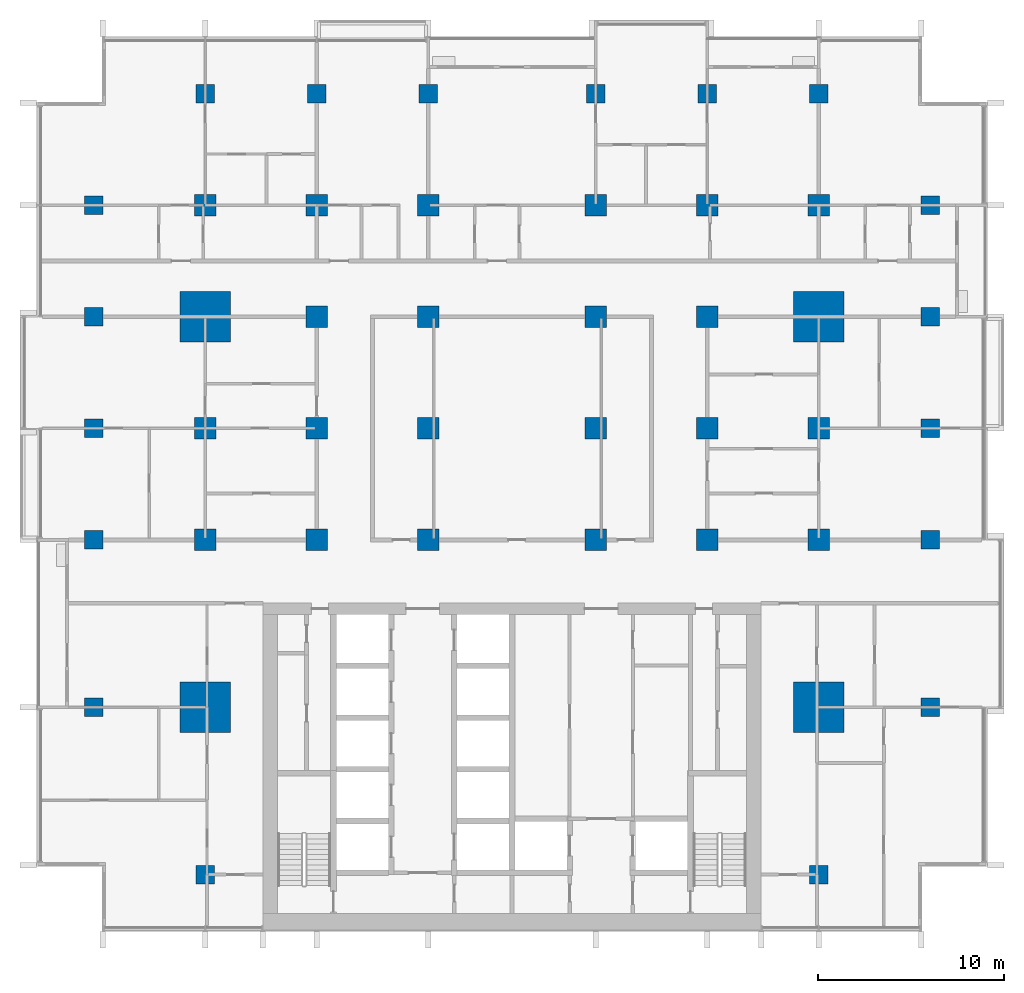
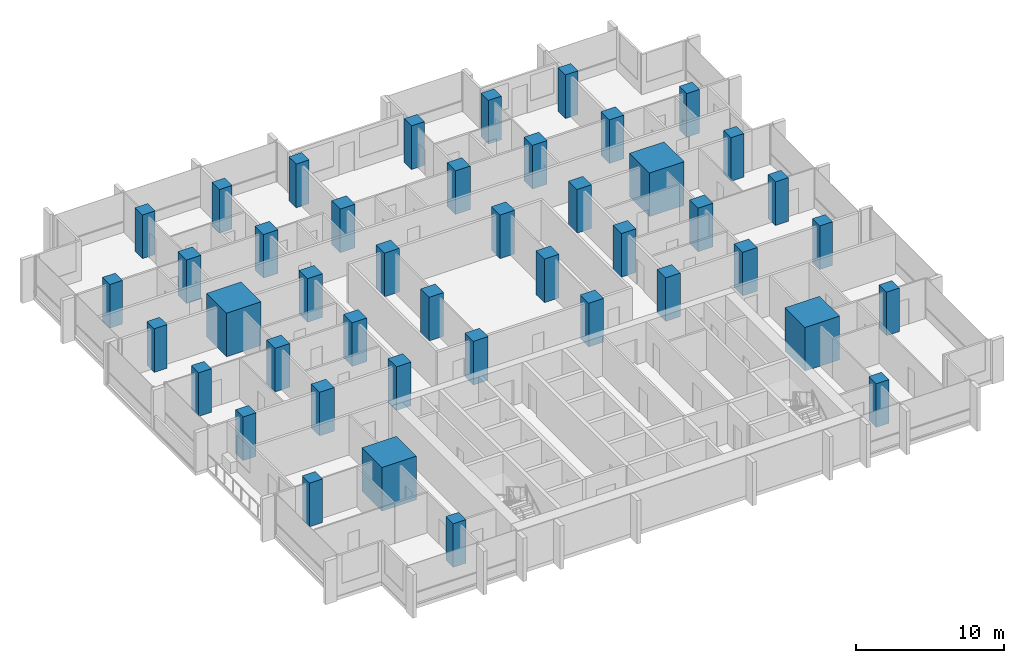
# One storey, part 1 of 19: 44 columns.
"""IFC4 building model written with IfcOpenShell, lengths in metres."""

from ifc_helpers import new_model, si_unit, direction, frame, origin, origin_2d, place, context, subcontext, project, spatial, rectangle, extrude, material, material_profile, profile_set, type_object, element, save


model = new_model("IFC4")

# Units and contexts
model_context = context("Model", 3, precision=1e-05, world=origin(), true_north=direction((0.0, 1.0)))
body_context = subcontext(model_context, "Body", "Model", "MODEL_VIEW")
ifc_project = project(units=[si_unit("LENGTHUNIT", "METRE"), si_unit("AREAUNIT", "SQUARE_METRE"), si_unit("VOLUMEUNIT", "CUBIC_METRE"), si_unit("PLANEANGLEUNIT", "RADIAN"), si_unit("MASSUNIT", "GRAM", prefix="KILO")], contexts=[model_context])

# Site, building, storey
site_placement = place(None, origin())
site = spatial("IfcSite", under=ifc_project, at=site_placement, CompositionType="ELEMENT")
building_placement = place(site_placement, origin())
building = spatial("IfcBuilding", under=site, at=building_placement, Name="Finial Court Residences", CompositionType="ELEMENT")
storey_placement = place(building_placement, frame((0.0, 0.0, 88.300048828125)))
storey = spatial("IfcBuildingStorey", under=building, at=storey_placement, Name="L21", CompositionType="ELEMENT", Elevation=88.300048828125)

# Columns
ifc_material = material(Name="Concrete C70/85", Category="concrete")
ifc_material_profile_1 = material_profile(ifc_material, rectangle(XDim=1.14990234375, YDim=1.14990234375, at=origin_2d()), Name="1150x1150")
ifc_profile_set_1 = profile_set([ifc_material_profile_1], Name="Concrete C70/85")
column_type_1 = type_object("IfcColumnType", Name="Interior column 1150x1150 Concrete C70/85", PredefinedType="COLUMN", material=ifc_profile_set_1)
for number, where, z_axis, x_axis, name in (
    (1, (-16.5, -4.5, 0.0), (0.0, 0.0, 1.0), (1.0, 0.0, 0.0), "S:COL:L21:C4"),
    (2, (-16.5, 1.5, 0.0), (0.0, 0.0, 1.0), (1.0, 0.0, 0.0), "S:COL:L21:C5"),
    (3, (-16.5, 13.5, 0.0), (0.0, 0.0, 1.0), (1.0, 0.0, 0.0), "S:COL:L21:C7"),
    (4, (-10.5, -4.5, 0.0), (0.0, 0.0, 1.0), (1.0, 0.0, 0.0), "S:COL:L21:D4"),
    (5, (-10.5, 1.5, 0.0), (0.0, 0.0, 1.0), (1.0, 0.0, 0.0), "S:COL:L21:D5"),
    (6, (-10.5, 7.5, 0.0), (0.0, 0.0, 1.0), (1.0, 0.0, 0.0), "S:COL:L21:D6"),
    (7, (-10.5, 13.5, 0.0), (0.0, 0.0, 1.0), (1.0, 0.0, 0.0), "S:COL:L21:D7"),
    (8, (-4.5, -4.5, 0.0), (0.0, 0.0, 1.0), (1.0, 0.0, 0.0), "S:COL:L21:E4"),
    (9, (-4.5, 1.5, 0.0), (0.0, 0.0, 1.0), (1.0, 0.0, 0.0), "S:COL:L21:E5"),
    (10, (-4.5, 7.5, 0.0), (0.0, 0.0, 1.0), (1.0, 0.0, 0.0), "S:COL:L21:E6"),
    (11, (-4.5, 13.5, 0.0), (0.0, 0.0, 1.0), (1.0, 0.0, 0.0), "S:COL:L21:E7"),
    (12, (4.5, -4.5, 0.0), (0.0, 0.0, 1.0), (1.0, 0.0, 0.0), "S:COL:L21:F4"),
    (13, (4.5, 1.5, 0.0), (0.0, 0.0, 1.0), (1.0, 0.0, 0.0), "S:COL:L21:F5"),
    (14, (4.5, 7.5, 0.0), (0.0, 0.0, 1.0), (1.0, 0.0, 0.0), "S:COL:L21:F6"),
    (15, (4.5, 13.5, 0.0), (0.0, 0.0, 1.0), (1.0, 0.0, 0.0), "S:COL:L21:F7"),
    (16, (10.5, -4.5, 0.0), (0.0, 0.0, 1.0), (1.0, 0.0, 0.0), "S:COL:L21:G4"),
    (17, (10.5, 1.5, 0.0), (0.0, 0.0, 1.0), (1.0, 0.0, 0.0), "S:COL:L21:G5"),
    (18, (10.5, 7.5, 0.0), (0.0, 0.0, 1.0), (1.0, 0.0, 0.0), "S:COL:L21:G6"),
    (19, (10.5, 13.5, 0.0), (0.0, 0.0, 1.0), (1.0, 0.0, 0.0), "S:COL:L21:G7"),
    (20, (16.5, -4.5, 0.0), (0.0, 0.0, 1.0), (1.0, 0.0, 0.0), "S:COL:L21:H4"),
    (21, (16.5, 1.5, 0.0), (0.0, 0.0, 1.0), (1.0, 0.0, 0.0), "S:COL:L21:H5"),
    (22, (16.5, 13.5, 0.0), (0.0, 0.0, 1.0), (1.0, 0.0, 0.0), "S:COL:L21:H7"),
):
    element("IfcColumn", number, at=place(storey_placement, frame(where, z_axis=z_axis, x_axis=x_axis)), inside=storey, type_object=column_type_1, Name=name, PredefinedType="COLUMN", context=body_context, shape_type="SweptSolid", body=[
        extrude(rectangle(XDim=1.14990234375, YDim=1.14990234375, at=origin_2d()), origin(), (0.0, 0.0, 1.0), 3.599853515625),
    ])
ifc_material_profile_2 = material_profile(ifc_material, rectangle(XDim=2.699951171875, YDim=2.699951171875, at=origin_2d()), Name="2700x2700")
ifc_profile_set_2 = profile_set([ifc_material_profile_2], Name="Concrete C70/85")
column_type_2 = type_object("IfcColumnType", Name="Mega column 2700x2700 Concrete C70/85", PredefinedType="COLUMN", material=ifc_profile_set_2)
for number, where, z_axis, x_axis, name in (
    (23, (-16.5, -13.5, 0.0), (0.0, 0.0, 1.0), (1.0, 0.0, 0.0), "S:COL:L21:C3"),
    (24, (-16.5, 7.5, 0.0), (0.0, 0.0, 1.0), (1.0, 0.0, 0.0), "S:COL:L21:C6"),
    (25, (16.5, -13.5, 0.0), (0.0, 0.0, 1.0), (1.0, 0.0, 0.0), "S:COL:L21:H3"),
    (26, (16.5, 7.5, 0.0), (0.0, 0.0, 1.0), (1.0, 0.0, 0.0), "S:COL:L21:H6"),
):
    element("IfcColumn", number, at=place(storey_placement, frame(where, z_axis=z_axis, x_axis=x_axis)), inside=storey, type_object=column_type_2, Name=name, PredefinedType="COLUMN", context=body_context, shape_type="SweptSolid", body=[
        extrude(rectangle(XDim=2.699951171875, YDim=2.699951171875, at=origin_2d()), origin(), (0.0, 0.0, 1.0), 3.599853515625),
    ])
ifc_material_profile_3 = material_profile(ifc_material, rectangle(XDim=1.0, YDim=1.0, at=origin_2d()), Name="1000x1000")
ifc_profile_set_3 = profile_set([ifc_material_profile_3], Name="Concrete C70/85")
column_type_3 = type_object("IfcColumnType", Name="Perimeter column 1000x1000 Concrete C70/85", PredefinedType="COLUMN", material=ifc_profile_set_3)
for number, where, z_axis, x_axis, name in (
    (27, (-22.5, -13.5, 0.0), (0.0, 0.0, 1.0), (1.0, 0.0, 0.0), "S:COL:L21:B3"),
    (28, (-22.5, -4.5, 0.0), (0.0, 0.0, 1.0), (1.0, 0.0, 0.0), "S:COL:L21:B4"),
    (29, (-22.5, 1.5, 0.0), (0.0, 0.0, 1.0), (1.0, 0.0, 0.0), "S:COL:L21:B5"),
    (30, (-22.5, 7.5, 0.0), (0.0, 0.0, 1.0), (1.0, 0.0, 0.0), "S:COL:L21:B6"),
    (31, (-22.5, 13.5, 0.0), (0.0, 0.0, 1.0), (1.0, 0.0, 0.0), "S:COL:L21:B7"),
    (32, (-16.5, -22.5, 0.0), (0.0, 0.0, 1.0), (1.0, 0.0, 0.0), "S:COL:L21:C2"),
    (33, (-16.5, 19.5, 0.0), (0.0, 0.0, 1.0), (1.0, 0.0, 0.0), "S:COL:L21:C8"),
    (34, (-10.5, 19.5, 0.0), (0.0, 0.0, 1.0), (1.0, 0.0, 0.0), "S:COL:L21:D8"),
    (35, (-4.5, 19.5, 0.0), (0.0, 0.0, 1.0), (1.0, 0.0, 0.0), "S:COL:L21:E8"),
    (36, (4.5, 19.5, 0.0), (0.0, 0.0, 1.0), (1.0, 0.0, 0.0), "S:COL:L21:F8"),
    (37, (10.5, 19.5, 0.0), (0.0, 0.0, 1.0), (1.0, 0.0, 0.0), "S:COL:L21:G8"),
    (38, (16.5, -22.5, 0.0), (0.0, 0.0, 1.0), (1.0, 0.0, 0.0), "S:COL:L21:H2"),
    (39, (16.5, 19.5, 0.0), (0.0, 0.0, 1.0), (1.0, 0.0, 0.0), "S:COL:L21:H8"),
    (40, (22.5, -13.5, 0.0), (0.0, 0.0, 1.0), (1.0, 0.0, 0.0), "S:COL:L21:I3"),
    (41, (22.5, -4.5, 0.0), (0.0, 0.0, 1.0), (1.0, 0.0, 0.0), "S:COL:L21:I4"),
    (42, (22.5, 1.5, 0.0), (0.0, 0.0, 1.0), (1.0, 0.0, 0.0), "S:COL:L21:I5"),
    (43, (22.5, 7.5, 0.0), (0.0, 0.0, 1.0), (1.0, 0.0, 0.0), "S:COL:L21:I6"),
    (44, (22.5, 13.5, 0.0), (0.0, 0.0, 1.0), (1.0, 0.0, 0.0), "S:COL:L21:I7"),
):
    element("IfcColumn", number, at=place(storey_placement, frame(where, z_axis=z_axis, x_axis=x_axis)), inside=storey, type_object=column_type_3, Name=name, PredefinedType="COLUMN", context=body_context, shape_type="SweptSolid", body=[
        extrude(rectangle(XDim=1.0, YDim=1.0, at=origin_2d()), origin(), (0.0, 0.0, 1.0), 3.599853515625),
    ])

save(model, "model.ifc")
